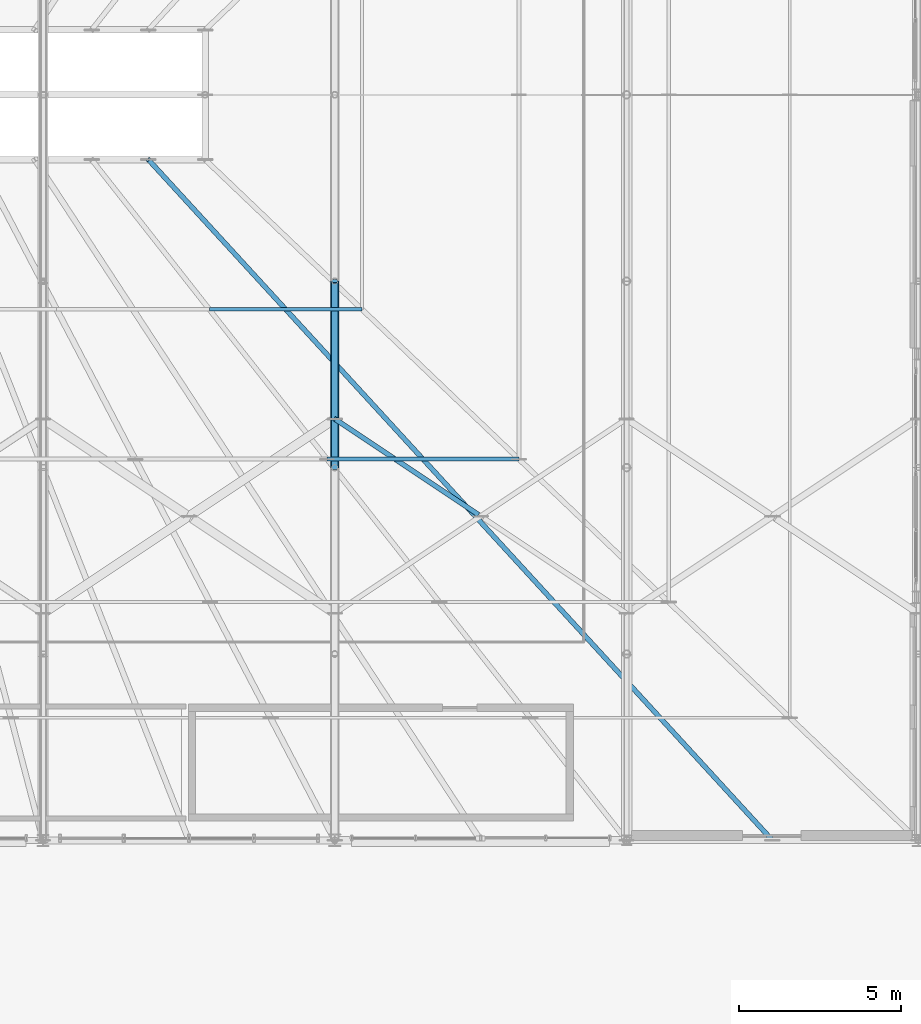
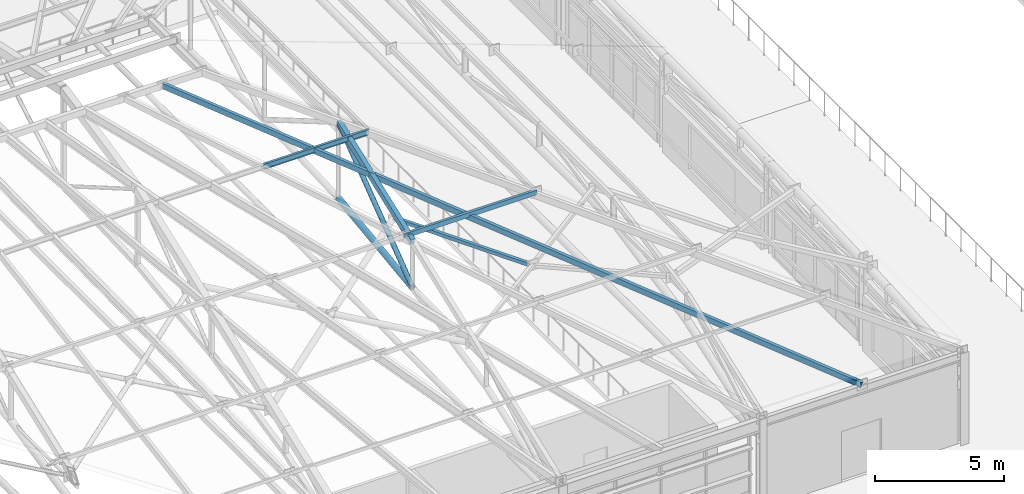
# One storey, part 41 of 168: 6 members, 1 beam.
"""IFC4 building model written with IfcOpenShell, lengths in metres."""

from ifc_helpers import new_model, si_unit, direction, frame, origin, origin_2d, place, context, subcontext, project, spatial, hollow_rectangle, hollow_circle, i_section, extrude, material, material_profile, profile_set, type_object, element, save


model = new_model("IFC4")

# Units and contexts
model_context = context("Model", 3, precision=1e-05, world=origin(), true_north=direction((0.0, 1.0)))
body_context = subcontext(model_context, "Body", "Model", "MODEL_VIEW")
ifc_project = project(units=[si_unit("LENGTHUNIT", "METRE"), si_unit("AREAUNIT", "SQUARE_METRE"), si_unit("VOLUMEUNIT", "CUBIC_METRE"), si_unit("PLANEANGLEUNIT", "RADIAN"), si_unit("MASSUNIT", "GRAM", prefix="KILO"), si_unit("THERMODYNAMICTEMPERATUREUNIT", "KELVIN"), si_unit("POWERUNIT", "WATT")], contexts=[model_context])

# Site, building, storey
site_placement = place(None, origin())
site = spatial("IfcSite", under=ifc_project, at=site_placement, CompositionType="ELEMENT")
building_placement = place(site_placement, origin())
building = spatial("IfcBuilding", under=site, at=building_placement, Name="Tepalcoro Natatorium and Aquatics Centre", CompositionType="ELEMENT")
storey_placement = place(building_placement, frame((0.0, 0.0, 10.199951171875)))
storey = spatial("IfcBuildingStorey", under=building, at=storey_placement, Name="L02", CompositionType="ELEMENT", Elevation=10.199951171875)

# Beam
ifc_material_1 = material(Name="Terracotta Painted Hollow Steel ASTM A500 Grade C (Fy 345 MPa)", Category="masonry")
ifc_material_profile_1 = material_profile(ifc_material_1, hollow_rectangle(XDim=0.199951171875, YDim=0.300048828125, WallThickness=0.013916015625, at=origin_2d()), Name="HSS300X200X14")
ifc_profile_set_1 = profile_set([ifc_material_profile_1], Name="Terracotta Painted Hollow Steel ASTM A500 Grade C (Fy 345 MPa)")
beam_type = type_object("IfcBeamType", Name="AC_HSS300x200x14", PredefinedType="USERDEFINED", material=ifc_profile_set_1)
beam_placement = place(storey_placement, frame((107.0, 24.5, 8.842041015625), z_axis=(0.0, 0.935595776827, 0.35307299866), x_axis=(-1.0, 0.0, 0.0)))
element("IfcBeam", 1, at=beam_placement, inside=storey, type_object=beam_type, Name="V1 Arched Truss Top Chord 7", ObjectType="ARCH CHORD", PredefinedType="USERDEFINED", context=body_context, shape_type="SweptSolid", body=[
    extrude(hollow_rectangle(XDim=0.199951171875, YDim=0.300048828125, WallThickness=0.013916015625, at=origin_2d()), origin(), (0.0, 0.0, 1.0), 6.145751953125),
])

# Members
ifc_material_2 = material(Name="Hollow Steel ASTM A500 Grade C (Fy 345 MPa)", Category="steel")
ifc_material_profile_2 = material_profile(ifc_material_2, hollow_rectangle(XDim=0.14990234375, YDim=0.14990234375, WallThickness=0.010009765625, at=origin_2d()), Name="HSS150X150X10")
ifc_profile_set_2 = profile_set([ifc_material_profile_2], Name="Hollow Steel ASTM A500 Grade C (Fy 345 MPa)")
member_type_1 = type_object("IfcMemberType", Name="MB_BR_HSS150x150x10", PredefinedType="BRACE", material=ifc_profile_set_2)
member_1_placement = place(storey_placement, frame((111.410400390625, 23.059814453125, 7.094970703125), z_axis=(-0.780181176197, 0.520106388317, 0.347572549462), x_axis=(-0.55468956716, -0.832057380283, 0.0)))
element("IfcMember", 2, at=member_1_placement, inside=storey, type_object=member_type_1, Name="V1 Pyramid Roof Split Wind Brace", PredefinedType="BRACE", context=body_context, shape_type="SweptSolid", body=[
    extrude(hollow_rectangle(XDim=0.14990234375, YDim=0.14990234375, WallThickness=0.010009765625, at=origin_2d()), origin(), (0.0, 0.0, 1.0), 5.653076171875),
])
ifc_material_profile_3 = material_profile(ifc_material_1, hollow_circle(Radius=0.136474609375, WallThickness=0.01611328125, at=origin_2d()), Name="CHS273X16")
ifc_profile_set_3 = profile_set([ifc_material_profile_3], Name="Terracotta Painted Hollow Steel ASTM A500 Grade C (Fy 345 MPa)")
member_type_2 = type_object("IfcMemberType", Name="MB_CH_CHS273x16", PredefinedType="CHORD", material=ifc_profile_set_3)
member_2_placement = place(storey_placement, frame((107.0, 24.5, 6.66259765625), z_axis=(0.0, 0.991809731939, 0.127724138798), x_axis=(-1.0, 0.0, 0.0)))
element("IfcMember", 3, at=member_2_placement, inside=storey, type_object=member_type_2, Name="V1 Arched Truss Bottom Chord 7", PredefinedType="CHORD", context=body_context, shape_type="SweptSolid", body=[
    extrude(hollow_circle(Radius=0.136474609375, WallThickness=0.01611328125, at=origin_2d()), origin(), (0.0, 0.0, 1.0), 5.79736328125),
])
ifc_material_profile_4 = material_profile(ifc_material_2, hollow_rectangle(XDim=0.1201171875, YDim=0.219970703125, WallThickness=0.010009765625, at=origin_2d()), Name="HSS220X120X10")
ifc_profile_set_4 = profile_set([ifc_material_profile_4], Name="Hollow Steel ASTM A500 Grade C (Fy 345 MPa)")
member_type_3 = type_object("IfcMemberType", Name="MB_PR_HSS220x120x10", PredefinedType="PURLIN", material=ifc_profile_set_4)
member_3_placement = place(storey_placement, frame((106.760009765625, 24.760009765625, 9.05419921875), z_axis=(1.0, 0.0, 0.0), x_axis=(0.0, 1.0, 0.0)))
element("IfcMember", 4, at=member_3_placement, inside=storey, type_object=member_type_3, Name="Pyramid Horizontal Purlin South", PredefinedType="PURLIN", context=body_context, shape_type="SweptSolid", body=[
    extrude(hollow_rectangle(XDim=0.1201171875, YDim=0.219970703125, WallThickness=0.010009765625, at=origin_2d()), origin(), (0.0, 0.0, 1.0), 5.919921875),
])
ifc_material_3 = material(Name="Steel ASTM A992 Grade 50 (Fy 345 MPa)", Category="steel")
ifc_material_profile_5 = material_profile(ifc_material_3, i_section(OverallWidth=0.10205078125, OverallDepth=0.259033203125, WebThickness=0.006103515625, FlangeThickness=0.010009765625, FilletRadius=0.013916015625, at=origin_2d()), Name="W10X19")
ifc_profile_set_5 = profile_set([ifc_material_profile_5], Name="Steel ASTM A992 Grade 50 (Fy 345 MPa)")
member_type_4 = type_object("IfcMemberType", Name="MB_PR_W10x19", PredefinedType="PURLIN", material=ifc_profile_set_5)
member_4_placement = place(storey_placement, frame((103.1298828125, 29.3798828125, 10.799072265625), z_axis=(1.0, 0.0, 0.0), x_axis=(0.0, 1.0, 0.0)))
element("IfcMember", 5, at=member_4_placement, inside=storey, type_object=member_type_4, Name="Pyramid Horizontal Purlin South", PredefinedType="PURLIN", context=body_context, shape_type="SweptSolid", body=[
    extrude(i_section(OverallWidth=0.10205078125, OverallDepth=0.259033203125, WebThickness=0.006103515625, FlangeThickness=0.010009765625, FilletRadius=0.013916015625, at=origin_2d()), origin(), (0.0, 0.0, 1.0), 4.710205078125),
])
ifc_material_profile_6 = material_profile(ifc_material_1, hollow_rectangle(XDim=0.14990234375, YDim=0.25, WallThickness=0.010009765625, at=origin_2d()), Name="HSS250X150X10")
ifc_profile_set_6 = profile_set([ifc_material_profile_6], Name="Terracotta Painted Hollow Steel ASTM A500 Grade C (Fy 345 MPa)")
member_type_5 = type_object("IfcMemberType", Name="MB_RF_HSS250x150x10", PredefinedType="RAFTER", material=ifc_profile_set_6)
member_5_placement = place(storey_placement, frame((120.5, 13.0, 4.320068359375), z_axis=(-0.649328564476, 0.708358433974, 0.276768394822), x_axis=(-0.737154140201, -0.675724628517, 0.0)))
element("IfcMember", 6, at=member_5_placement, inside=storey, type_object=member_type_5, Name="Pyramid Skylight Rafter South", PredefinedType="RAFTER", context=body_context, shape_type="SweptSolid", body=[
    extrude(hollow_rectangle(XDim=0.14990234375, YDim=0.25, WallThickness=0.010009765625, at=origin_2d()), origin(), (0.0, 0.0, 1.0), 29.64599609375),
])
ifc_material_profile_7 = material_profile(ifc_material_1, hollow_circle(Radius=0.109619140625, WallThickness=0.013916015625, at=origin_2d()), Name="CHS219X14")
ifc_profile_set_7 = profile_set([ifc_material_profile_7], Name="Terracotta Painted Hollow Steel ASTM A500 Grade C (Fy 345 MPa)")
member_type_6 = type_object("IfcMemberType", Name="MB_ST_CHS219x14", PredefinedType="STRUT", material=ifc_profile_set_7)
member_6_placement = place(storey_placement, frame((107.0, 24.5, 6.66259765625), z_axis=(0.0, 0.797538923951, 0.603267490242), x_axis=(-1.0, 0.0, 0.0)))
element("IfcMember", 7, at=member_6_placement, inside=storey, type_object=member_type_6, Name="V1 Arched Truss Web Diagonal 7", PredefinedType="STRUT", context=body_context, shape_type="SweptSolid", body=[
    extrude(hollow_circle(Radius=0.109619140625, WallThickness=0.013916015625, at=origin_2d()), origin(), (0.0, 0.0, 1.0), 7.209716796875),
])

save(model, "model.ifc")
